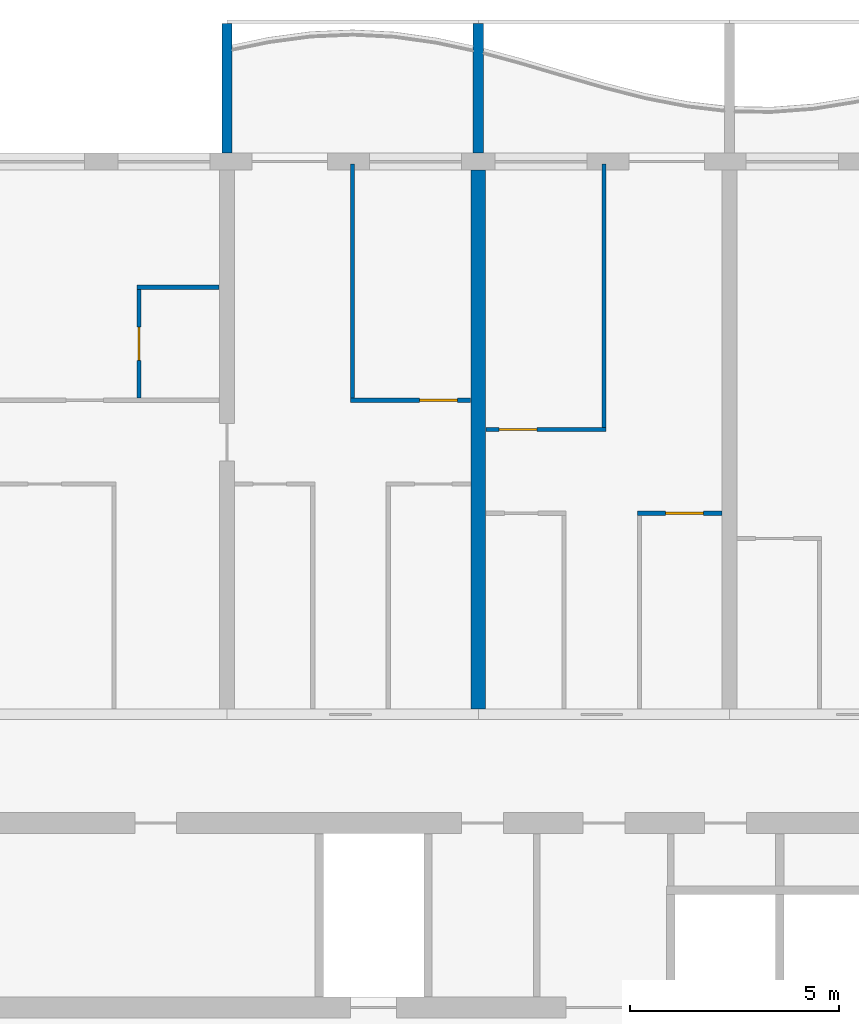
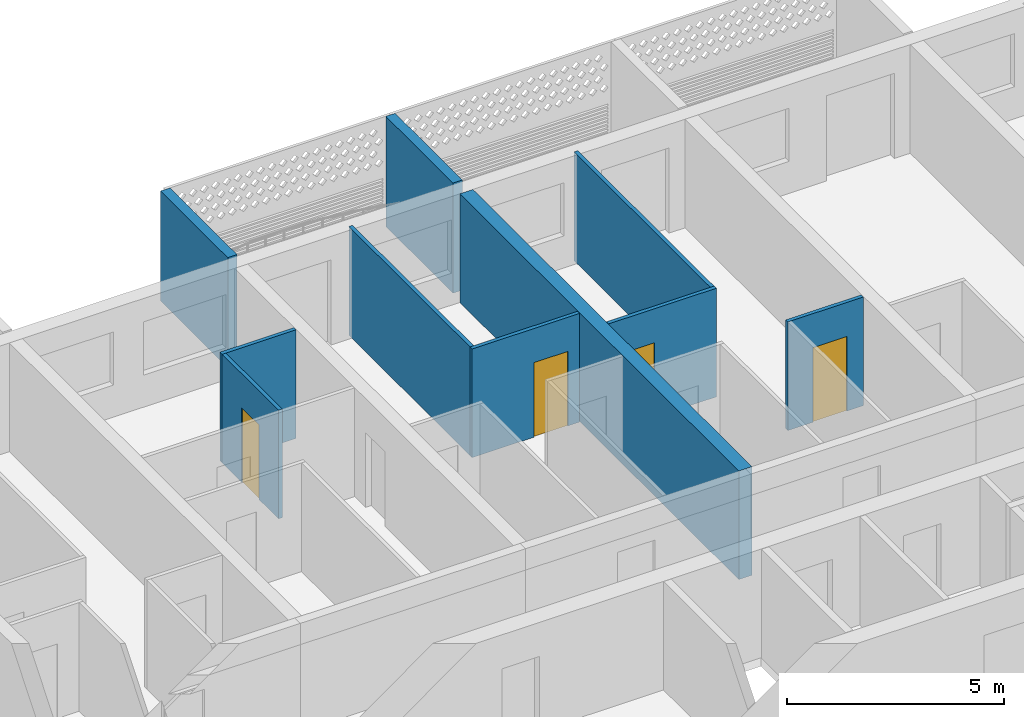
# One storey, part 11 of 26: 10 walls, 4 doors, 4 openings.
"""IFC4 building model written with IfcOpenShell, lengths in metres."""

from ifc_helpers import new_model, si_unit, direction, frame, frame_2d, origin, place, context, subcontext, project, spatial, polyline, rectangle, outline, extrude, source, transform, mapped, material, layer, layer_set, type_object, element, fill, save


model = new_model("IFC4")

# Units and contexts
model_context = context("Model", 3, precision=1e-05, world=origin(), true_north=direction((0.0, 1.0)))
body_context = subcontext(model_context, "Body", "Model", "MODEL_VIEW")
ifc_project = project(units=[si_unit("LENGTHUNIT", "METRE"), si_unit("AREAUNIT", "SQUARE_METRE"), si_unit("VOLUMEUNIT", "CUBIC_METRE"), si_unit("PLANEANGLEUNIT", "RADIAN"), si_unit("MASSUNIT", "GRAM", prefix="KILO")], contexts=[model_context])

# Site, building, storey
site_placement = place(None, origin())
site = spatial("IfcSite", under=ifc_project, at=site_placement, CompositionType="ELEMENT")
building_placement = place(site_placement, origin())
building = spatial("IfcBuilding", under=site, at=building_placement, Name="Poui Terraces", CompositionType="ELEMENT")
storey_placement = place(building_placement, frame((0.0, 0.0, 79.5)))
storey = spatial("IfcBuildingStorey", under=building, at=storey_placement, Name="L21", CompositionType="ELEMENT", Elevation=79.5)

# Wall
ifc_material_1 = material(Name="Concrete 65 MPa", Category="concrete")
ifc_layer_1 = layer(ifc_material_1, 0.35009765625)
ifc_layer_set_1 = layer_set([ifc_layer_1], Name="Concrete 65 MPa")
wall_type_1 = type_object("IfcWallType", Name="CROSS WALL 350 65MPa", PredefinedType="SHEAR", material=ifc_layer_set_1)
wall_1_placement = place(storey_placement, frame((48.0, 30.52490234375, 0.0), z_axis=(0.0, 0.0, 1.0), x_axis=(0.0, 1.0, 0.0)))
element("IfcWall", 1, at=wall_1_placement, inside=storey, type_object=wall_type_1, Name="CROSS WALL LINE 9 NORTH", PredefinedType="SHEAR", context=body_context, shape_type="SweptSolid", body=[
    extrude(rectangle(XDim=12.875, YDim=0.35009765625, at=frame_2d((6.4375, 0.0))), origin(), (0.0, 0.0, 1.0), 3.06005859375),
])

# Wall, opening, door
ifc_material_2 = material(Name="Plasterboard partition")
ifc_layer_2 = layer(ifc_material_2, 0.10009765625)
ifc_layer_set_2 = layer_set([ifc_layer_2], Name="Plasterboard partition")
wall_type_2 = type_object("IfcWallType", Name="FLAT PARTITION 100", PredefinedType="PARTITIONING", material=ifc_layer_set_2)
wall_2_placement = place(storey_placement, frame((51.800048828125, 35.199951171875, 0.0), z_axis=(0.0, 0.0, 1.0), x_axis=(1.0, 0.0, 0.0)))
wall_2 = element("IfcWall", 2, at=wall_2_placement, inside=storey, type_object=wall_type_2, Name="FLAT PARTITION 100", PredefinedType="PARTITIONING", context=body_context, shape_type="SweptSolid", body=[
    extrude(rectangle(XDim=2.014892578125, YDim=0.10009765625, at=frame_2d((1.00732421875, 0.0))), origin(), (0.0, 0.0, 1.0), 3.06005859375),
])
opening_1_placement = place(wall_2_placement, frame((0.675048828125, 0.0, 0.0)))
opening_1 = element("IfcOpeningElement", 3, at=opening_1_placement, cuts=wall_2, Name="Opening D90", PredefinedType="OPENING", context=body_context, shape_type="SweptSolid", body=[
    extrude(rectangle(XDim=0.89990234375, YDim=2.10009765625, at=frame_2d((0.449951171875, 1.050048828125))), frame((0.0, 0.06005859375, 0.0), z_axis=(0.0, -1.0, 0.0), x_axis=(1.0, 0.0, 0.0)), (0.0, 0.0, 1.0), 0.1201171875),
])
ifc_material_3 = material(Name="Solid core timber door", Category="wood")
door_type_1 = type_object("IfcDoorType", Name="INTERNAL DOOR 900 X 2100", OperationType="NOTDEFINED", PredefinedType="DOOR", material=ifc_material_3)
door_1_placement = place(opening_1_placement, frame((0.89990234375, 0.0, 0.0), z_axis=(0.0, 0.0, 1.0), x_axis=(-1.0, 0.0, 0.0)))
door_1 = element("IfcDoor", 4, at=door_1_placement, inside=storey, type_object=door_type_1, Name="INTERNAL DOOR 060", OperationType="SINGLE_SWING_LEFT", OverallHeight=2.10009765625, OverallWidth=0.89990234375, PredefinedType="DOOR", context=body_context, shape_type="SweptSolid", body=[
    extrude(rectangle(XDim=0.89990234375, YDim=2.10009765625, at=frame_2d((0.449951171875, 1.050048828125))), frame((0.0, 0.02490234375, 0.0), z_axis=(0.0, -1.0, 0.0), x_axis=(1.0, 0.0, 0.0)), (0.0, 0.0, 1.0), 0.050048828125),
])
fill(opening_1, door_1)

wall_3_placement = place(storey_placement, frame((48.18505859375, 37.199951171875, 0.0), z_axis=(0.0, 0.0, 1.0), x_axis=(1.0, 0.0, 0.0)))
wall_3 = element("IfcWall", 5, at=wall_3_placement, inside=storey, type_object=wall_type_2, Name="FLAT PARTITION 100", PredefinedType="PARTITIONING", context=body_context, shape_type="SweptSolid", body=[
    extrude(rectangle(XDim=2.864990234375, YDim=0.10009765625, at=frame_2d((1.4326171875, 0.0))), origin(), (0.0, 0.0, 1.0), 3.06005859375),
])
opening_2_placement = place(wall_3_placement, frame((0.31494140625, 0.0, 0.0)))
opening_2 = element("IfcOpeningElement", 6, at=opening_2_placement, cuts=wall_3, Name="Opening D90", PredefinedType="OPENING", context=body_context, shape_type="SweptSolid", body=[
    extrude(rectangle(XDim=0.89990234375, YDim=2.10009765625, at=frame_2d((0.449951171875, 1.050048828125))), frame((0.0, 0.06005859375, 0.0), z_axis=(0.0, -1.0, 0.0), x_axis=(1.0, 0.0, 0.0)), (0.0, 0.0, 1.0), 0.1201171875),
])
door_2_placement = place(opening_2_placement, frame((0.89990234375, 0.0, 0.0), z_axis=(0.0, 0.0, 1.0), x_axis=(-1.0, 0.0, 0.0)))
door_2 = element("IfcDoor", 7, at=door_2_placement, inside=storey, type_object=door_type_1, Name="INTERNAL DOOR 057", OperationType="SINGLE_SWING_LEFT", OverallHeight=2.10009765625, OverallWidth=0.89990234375, PredefinedType="DOOR", context=body_context, shape_type="SweptSolid", body=[
    extrude(rectangle(XDim=0.89990234375, YDim=2.10009765625, at=frame_2d((0.449951171875, 1.050048828125))), frame((0.0, 0.02490234375, 0.0), z_axis=(0.0, -1.0, 0.0), x_axis=(1.0, 0.0, 0.0)), (0.0, 0.0, 1.0), 0.050048828125),
])
fill(opening_2, door_2)

wall_4_placement = place(storey_placement, frame((44.949951171875, 37.89990234375, 0.0), z_axis=(0.0, 0.0, 1.0), x_axis=(1.0, 0.0, 0.0)))
wall_4 = element("IfcWall", 8, at=wall_4_placement, inside=storey, type_object=wall_type_2, Name="FLAT PARTITION 100", PredefinedType="PARTITIONING", context=body_context, shape_type="SweptSolid", body=[
    extrude(rectangle(XDim=2.864990234375, YDim=0.10009765625, at=frame_2d((1.4326171875, 0.0))), origin(), (0.0, 0.0, 1.0), 3.06005859375),
])
opening_3_placement = place(wall_4_placement, frame((1.64990234375, 0.0, 0.0)))
opening_3 = element("IfcOpeningElement", 9, at=opening_3_placement, cuts=wall_4, Name="Opening D90", PredefinedType="OPENING", context=body_context, shape_type="SweptSolid", body=[
    extrude(rectangle(XDim=0.89990234375, YDim=2.10009765625, at=frame_2d((0.449951171875, 1.050048828125))), frame((0.0, 0.06005859375, 0.0), z_axis=(0.0, -1.0, 0.0), x_axis=(1.0, 0.0, 0.0)), (0.0, 0.0, 1.0), 0.1201171875),
])
door_3_placement = place(opening_3_placement, origin())
door_3 = element("IfcDoor", 10, at=door_3_placement, inside=storey, type_object=door_type_1, Name="INTERNAL DOOR 055", OperationType="SINGLE_SWING_RIGHT", OverallHeight=2.10009765625, OverallWidth=0.89990234375, PredefinedType="DOOR", context=body_context, shape_type="SweptSolid", body=[
    extrude(rectangle(XDim=0.89990234375, YDim=2.10009765625, at=frame_2d((0.449951171875, 1.050048828125))), frame((0.0, 0.02490234375, 0.0), z_axis=(0.0, -1.0, 0.0), x_axis=(1.0, 0.0, 0.0)), (0.0, 0.0, 1.0), 0.050048828125),
])
fill(opening_3, door_3)

# Wall
wall_5_placement = place(storey_placement, frame((39.85009765625, 40.60009765625, 0.0), z_axis=(0.0, 0.0, 1.0), x_axis=(1.0, 0.0, 0.0)))
element("IfcWall", 11, at=wall_5_placement, inside=storey, type_object=wall_type_2, Name="FLAT PARTITION 100", PredefinedType="PARTITIONING", context=body_context, shape_type="SweptSolid", body=[
    extrude(rectangle(XDim=1.96484375, YDim=0.10009765625, at=frame_2d((0.982421875, 0.0))), origin(), (0.0, 0.0, 1.0), 3.06005859375),
])

# Wall, opening, door
wall_6_placement = place(storey_placement, frame((39.89990234375, 37.949951171875, 0.0), z_axis=(0.0, 0.0, 1.0), x_axis=(0.0, 1.0, 0.0)))
wall_6 = element("IfcWall", 12, at=wall_6_placement, inside=storey, type_object=wall_type_2, Name="FLAT PARTITION 100", PredefinedType="PARTITIONING", context=body_context, shape_type="SweptSolid", body=[
    extrude(rectangle(XDim=2.60009765625, YDim=0.10009765625, at=frame_2d((1.300048828125, 0.0))), origin(), (0.0, 0.0, 1.0), 3.06005859375),
])
opening_4_placement = place(wall_6_placement, frame((0.89990234375, 0.0, 0.0)))
opening_4 = element("IfcOpeningElement", 13, at=opening_4_placement, cuts=wall_6, Name="Opening D80", PredefinedType="OPENING", context=body_context, shape_type="SweptSolid", body=[
    extrude(rectangle(XDim=0.800048828125, YDim=2.10009765625, at=frame_2d((0.39990234375, 1.050048828125))), frame((0.0, 0.06005859375, 0.0), z_axis=(0.0, -1.0, 0.0), x_axis=(1.0, 0.0, 0.0)), (0.0, 0.0, 1.0), 0.1201171875),
])
door_type_2 = type_object("IfcDoorType", Name="BATHROOM, LAUNDRY AND STORE DOOR 800 X 2100", OperationType="NOTDEFINED", PredefinedType="DOOR", material=ifc_material_3)
door_4_placement = place(opening_4_placement, frame((0.800048828125, 0.0, 0.0), z_axis=(0.0, 0.0, 1.0), x_axis=(-1.0, 0.0, 0.0)))
door_4 = element("IfcDoor", 14, at=door_4_placement, inside=storey, type_object=door_type_2, Name="BATHROOM, LAUNDRY AND STORE DOOR 056", OperationType="SINGLE_SWING_LEFT", OverallHeight=2.10009765625, OverallWidth=0.800048828125, PredefinedType="DOOR", context=body_context, shape_type="SweptSolid", body=[
    extrude(rectangle(XDim=0.800048828125, YDim=2.10009765625, at=frame_2d((0.39990234375, 1.050048828125))), frame((0.0, 0.02490234375, 0.0), z_axis=(0.0, -1.0, 0.0), x_axis=(1.0, 0.0, 0.0)), (0.0, 0.0, 1.0), 0.050048828125),
])
fill(opening_4, door_4)

# Walls
wall_7_placement = place(storey_placement, frame((45.0, 37.949951171875, 0.0), z_axis=(0.0, 0.0, 1.0), x_axis=(0.0, 1.0, 0.0)))
element("IfcWall", 15, at=wall_7_placement, inside=storey, type_object=wall_type_2, Name="FLAT PARTITION 100", PredefinedType="PARTITIONING", context=body_context, shape_type="SweptSolid", body=[
    extrude(rectangle(XDim=5.590087890625, YDim=0.10009765625, at=frame_2d((2.794921875, 0.0))), origin(), (0.0, 0.0, 1.0), 3.06005859375),
])
wall_8_placement = place(storey_placement, frame((51.0, 37.25, 0.0), z_axis=(0.0, 0.0, 1.0), x_axis=(0.0, 1.0, 0.0)))
element("IfcWall", 16, at=wall_8_placement, inside=storey, type_object=wall_type_2, Name="FLAT PARTITION 100", PredefinedType="PARTITIONING", context=body_context, shape_type="SweptSolid", body=[
    extrude(rectangle(XDim=6.2900390625, YDim=0.10009765625, at=frame_2d((3.14501953125, 0.0))), origin(), (0.0, 0.0, 1.0), 3.06005859375),
])
ifc_material_4 = material(Name="Precast concrete 40 MPa", Category="concrete")
ifc_layer_3 = layer(ifc_material_4, 0.25)
ifc_layer_set_3 = layer_set([ifc_layer_3], Name="Precast concrete 40 MPa")
wall_type_3 = type_object("IfcWallType", Name="BALCONY FIN 250", PredefinedType="STANDARD", material=ifc_layer_set_3)
shared_shape = source(origin(), body_context, "Body", "SweptSolid", [
    extrude(outline(polyline([(0.0, 0.0), (0.25, 0.0), (0.25, 3.099853515625), (0.0, 3.099853515625), (0.0, 0.0)])), origin(), (0.0, 0.0, 1.0), 3.10009765625),
])
for number, where, name in (
    (17, (41.875, 43.800048828125, 0.0), "BALCONY FIN"),
    (18, (47.875, 43.800048828125, 0.0), "BALCONY FIN"),
):
    element("IfcWall", number, at=place(storey_placement, frame(where)), inside=storey, type_object=wall_type_3, Name=name, PredefinedType="STANDARD", context=body_context, shape_type="MappedRepresentation", body=[
        mapped(shared_shape, transform((0.0, 0.0, 0.0))),
    ])

save(model, "model.ifc")
